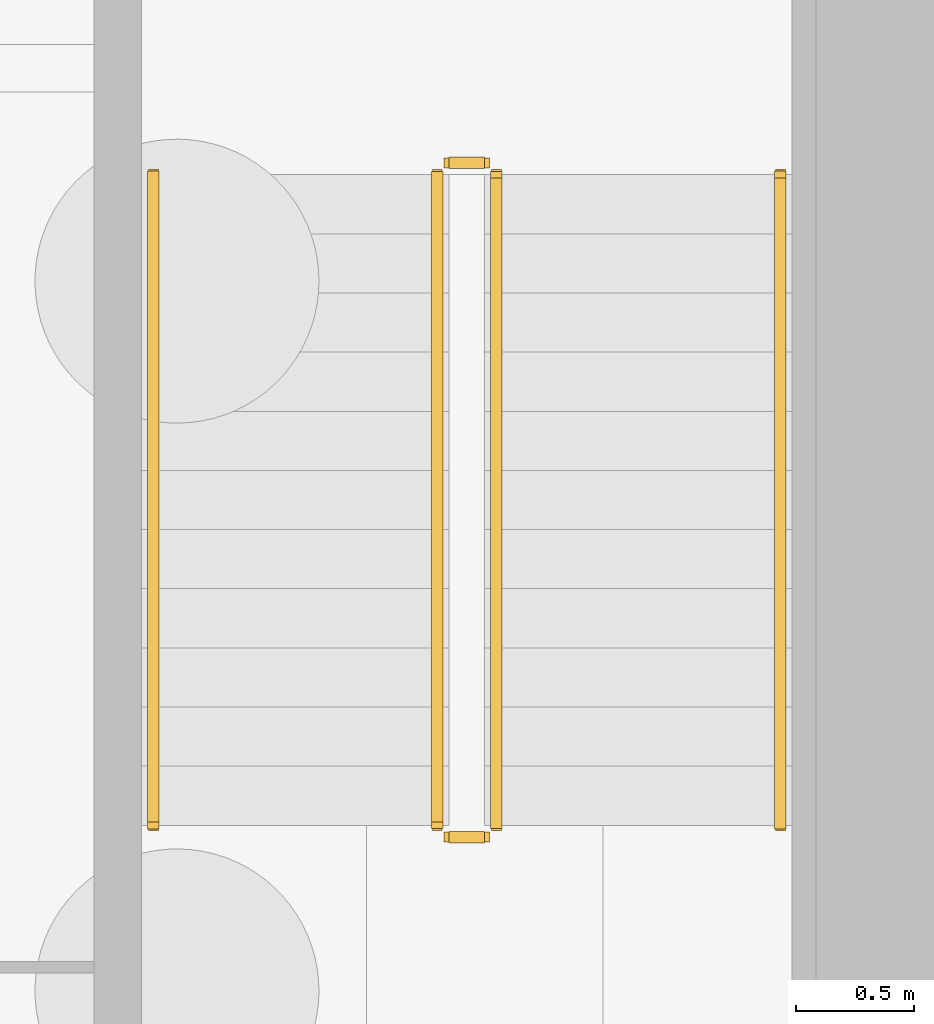
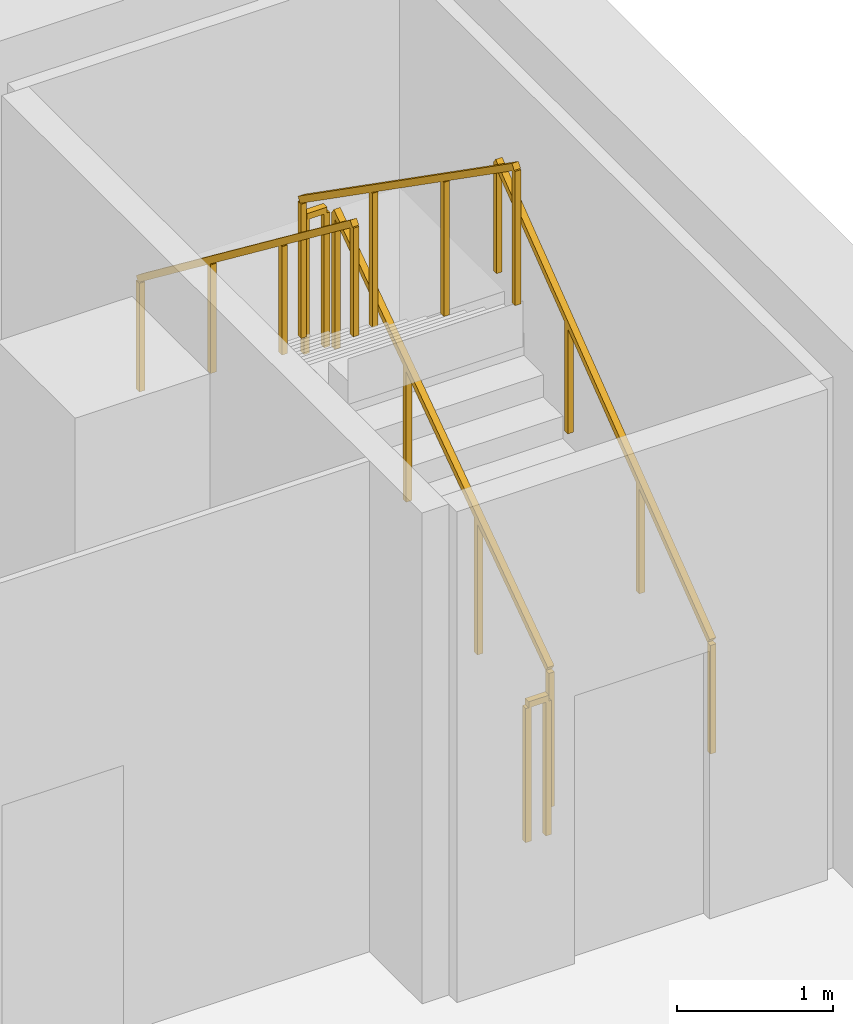
# One storey, part 20 of 21: 6 railings.
"""IFC4 building model written with IfcOpenShell, lengths in metres."""

from ifc_helpers import new_model, si_unit, direction, frame, origin, origin_2d, place, context, subcontext, project, spatial, rectangle, extrude, material, type_object, element, save


model = new_model("IFC4")

# Units and contexts
model_context = context("Model", 3, precision=1e-05, world=origin(), true_north=direction((0.0, 1.0)))
body_context = subcontext(model_context, "Body", "Model", "MODEL_VIEW")
ifc_project = project(units=[si_unit("LENGTHUNIT", "METRE"), si_unit("AREAUNIT", "SQUARE_METRE"), si_unit("VOLUMEUNIT", "CUBIC_METRE"), si_unit("PLANEANGLEUNIT", "RADIAN"), si_unit("MASSUNIT", "GRAM", prefix="KILO")], contexts=[model_context])

# Site, building, storey
site_placement = place(None, origin())
site = spatial("IfcSite", under=ifc_project, at=site_placement, CompositionType="ELEMENT")
building_placement = place(site_placement, origin())
building = spatial("IfcBuilding", under=site, at=building_placement, Name="Beryl Residences", CompositionType="ELEMENT")
storey_placement = place(building_placement, frame((0.0, 0.0, -8.39990234375)))
storey = spatial("IfcBuildingStorey", under=building, at=storey_placement, Name="B2", CompositionType="ELEMENT", Elevation=-8.39990234375)

# Railings
ifc_material_1 = material(Name="Stainless steel balustrade with glass infill", Category="steel")
railing_type_1 = type_object("IfcRailingType", Name="SG1 stair guard 1100 mm", PredefinedType="GUARDRAIL", material=ifc_material_1)
railing_1_placement = place(storey_placement, frame((46.050048828125, 35.199951171875, 0.1748046875)))
element("IfcRailing", 1, at=railing_1_placement, inside=storey, type_object=railing_type_1, Name="B2 BS-3 stair guard 1", PredefinedType="GUARDRAIL", context=body_context, shape_type="SweptSolid", body=[
    extrude(rectangle(XDim=0.048095703125, YDim=0.048095703125, at=origin_2d()), frame((0.0, 0.0, 1.076171875), z_axis=(0.0, 0.819225086817, 0.573472106672), x_axis=(-1.0, 0.0, 0.0)), (0.0, 0.0, 1.0), 3.35693359375),
    extrude(rectangle(XDim=0.0419921875, YDim=0.0419921875, at=origin_2d()), origin(), (0.0, 0.0, 1.0), 1.052001953125),
    extrude(rectangle(XDim=0.0419921875, YDim=0.0419921875, at=origin_2d()), frame((0.0, 0.916748046875, 0.6416015625)), (0.0, 0.0, 1.0), 1.052001953125),
    extrude(rectangle(XDim=0.0419921875, YDim=0.0419921875, at=origin_2d()), frame((0.0, 1.833251953125, 1.283447265625)), (0.0, 0.0, 1.0), 1.052001953125),
    extrude(rectangle(XDim=0.0419921875, YDim=0.0419921875, at=origin_2d()), frame((0.0, 2.75, 1.925048828125)), (0.0, 0.0, 1.0), 1.052001953125),
])
railing_2_placement = place(storey_placement, frame((46.0, 38.0, 2.099853515625)))
element("IfcRailing", 2, at=railing_2_placement, inside=storey, type_object=railing_type_1, Name="B2 BS-3 stair guard 2", PredefinedType="GUARDRAIL", context=body_context, shape_type="SweptSolid", body=[
    extrude(rectangle(XDim=0.048095703125, YDim=0.048095703125, at=origin_2d()), frame((0.0, 0.0, 1.076171875), z_axis=(-1.0, 0.0, 0.0), x_axis=(0.0, -1.0, 0.0)), (0.0, 0.0, 1.0), 0.14990234375),
    extrude(rectangle(XDim=0.0419921875, YDim=0.0419921875, at=origin_2d()), origin(), (0.0, 0.0, 1.0), 1.052001953125),
    extrude(rectangle(XDim=0.0419921875, YDim=0.0419921875, at=origin_2d()), frame((-0.14990234375, 0.0, 0.0)), (0.0, 0.0, 1.0), 1.052001953125),
])
railing_3_placement = place(storey_placement, frame((45.800048828125, 37.949951171875, 2.27490234375)))
element("IfcRailing", 3, at=railing_3_placement, inside=storey, type_object=railing_type_1, Name="B2 BS-3 stair guard 3", PredefinedType="GUARDRAIL", context=body_context, shape_type="SweptSolid", body=[
    extrude(rectangle(XDim=0.048095703125, YDim=0.048095703125, at=origin_2d()), frame((0.0, 0.0, 1.076171875), z_axis=(0.0, -0.819225086817, 0.573472106672), x_axis=(1.0, 0.0, 0.0)), (0.0, 0.0, 1.0), 3.35693359375),
    extrude(rectangle(XDim=0.0419921875, YDim=0.0419921875, at=origin_2d()), origin(), (0.0, 0.0, 1.0), 1.052001953125),
    extrude(rectangle(XDim=0.0419921875, YDim=0.0419921875, at=origin_2d()), frame((0.0, -0.916748046875, 0.6416015625)), (0.0, 0.0, 1.0), 1.052001953125),
    extrude(rectangle(XDim=0.0419921875, YDim=0.0419921875, at=origin_2d()), frame((0.0, -1.833251953125, 1.283447265625)), (0.0, 0.0, 1.0), 1.052001953125),
    extrude(rectangle(XDim=0.0419921875, YDim=0.0419921875, at=origin_2d()), frame((0.0, -2.75, 1.925048828125)), (0.0, 0.0, 1.0), 1.052001953125),
])
railing_4_placement = place(storey_placement, frame((46.0, 35.14990234375, 0.0)))
element("IfcRailing", 4, at=railing_4_placement, inside=storey, type_object=railing_type_1, Name="B2 BS-3 stair guard 4", PredefinedType="GUARDRAIL", context=body_context, shape_type="SweptSolid", body=[
    extrude(rectangle(XDim=0.048095703125, YDim=0.048095703125, at=origin_2d()), frame((0.0, 0.0, 1.076171875), z_axis=(-1.0, 0.0, 0.0), x_axis=(0.0, -1.0, 0.0)), (0.0, 0.0, 1.0), 0.14990234375),
    extrude(rectangle(XDim=0.0419921875, YDim=0.0419921875, at=origin_2d()), origin(), (0.0, 0.0, 1.0), 1.052001953125),
    extrude(rectangle(XDim=0.0419921875, YDim=0.0419921875, at=origin_2d()), frame((-0.14990234375, 0.0, 0.0)), (0.0, 0.0, 1.0), 1.052001953125),
])
ifc_material_2 = material(Name="Stainless steel handrail", Category="steel")
railing_type_2 = type_object("IfcRailingType", Name="SRL1 stair handrail 900 mm", PredefinedType="HANDRAIL", material=ifc_material_2)
railing_5_placement = place(storey_placement, frame((47.25, 35.199951171875, 0.1748046875)))
element("IfcRailing", 5, at=railing_5_placement, inside=storey, type_object=railing_type_2, Name="B2 BS-3 stair handrail 1", PredefinedType="HANDRAIL", context=body_context, shape_type="SweptSolid", body=[
    extrude(rectangle(XDim=0.048095703125, YDim=0.048095703125, at=origin_2d()), frame((0.0, 0.0, 0.8759765625), z_axis=(0.0, 0.794754200304, 0.60693143031), x_axis=(-1.0, 0.0, 0.0)), (0.0, 0.0, 1.0), 3.460205078125),
    extrude(rectangle(XDim=0.0419921875, YDim=0.0419921875, at=origin_2d()), origin(), (0.0, 0.0, 1.0), 0.851806640625),
    extrude(rectangle(XDim=0.0419921875, YDim=0.0419921875, at=origin_2d()), frame((0.0, 0.916748046875, 0.699951171875)), (0.0, 0.0, 1.0), 0.851806640625),
    extrude(rectangle(XDim=0.0419921875, YDim=0.0419921875, at=origin_2d()), frame((0.0, 1.833251953125, 1.400146484375)), (0.0, 0.0, 1.0), 0.851806640625),
    extrude(rectangle(XDim=0.0419921875, YDim=0.0419921875, at=origin_2d()), frame((0.0, 2.75, 2.10009765625)), (0.0, 0.0, 1.0), 0.851806640625),
])
railing_6_placement = place(storey_placement, frame((44.60009765625, 37.949951171875, 2.27490234375)))
element("IfcRailing", 6, at=railing_6_placement, inside=storey, type_object=railing_type_2, Name="B2 BS-3 stair handrail 2", PredefinedType="HANDRAIL", context=body_context, shape_type="SweptSolid", body=[
    extrude(rectangle(XDim=0.048095703125, YDim=0.048095703125, at=origin_2d()), frame((0.0, 0.0, 0.8759765625), z_axis=(0.0, -0.794754200304, 0.60693143031), x_axis=(1.0, 0.0, 0.0)), (0.0, 0.0, 1.0), 3.460205078125),
    extrude(rectangle(XDim=0.0419921875, YDim=0.0419921875, at=origin_2d()), origin(), (0.0, 0.0, 1.0), 0.851806640625),
    extrude(rectangle(XDim=0.0419921875, YDim=0.0419921875, at=origin_2d()), frame((0.0, -0.916748046875, 0.699951171875)), (0.0, 0.0, 1.0), 0.851806640625),
    extrude(rectangle(XDim=0.0419921875, YDim=0.0419921875, at=origin_2d()), frame((0.0, -1.833251953125, 1.400146484375)), (0.0, 0.0, 1.0), 0.851806640625),
    extrude(rectangle(XDim=0.0419921875, YDim=0.0419921875, at=origin_2d()), frame((0.0, -2.75, 2.10009765625)), (0.0, 0.0, 1.0), 0.851806640625),
])

save(model, "model.ifc")
